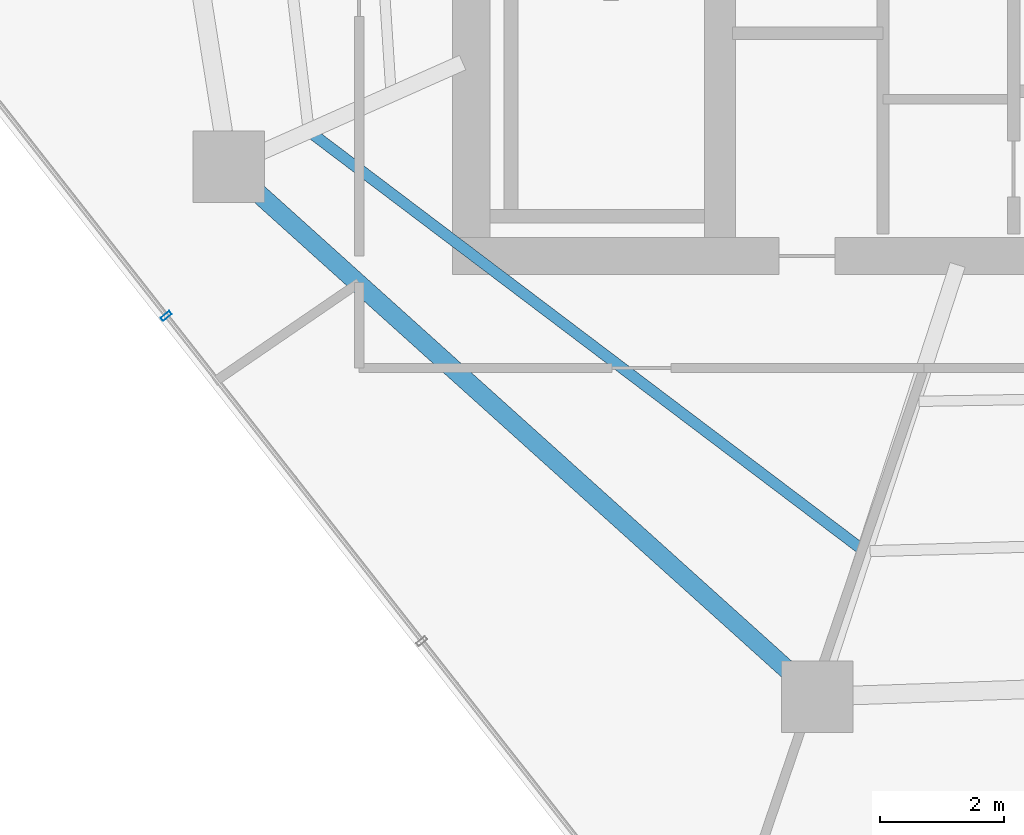
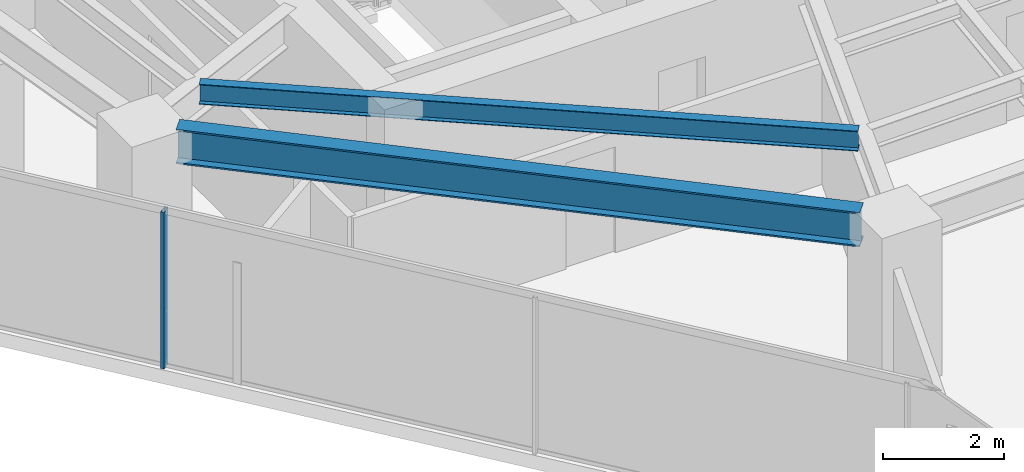
# One storey, part 4 of 29: 2 beams, 1 member, 1 element without a shape of its own.
"""IFC4 building model written with IfcOpenShell, lengths in metres."""

from ifc_helpers import new_model, si_unit, direction, frame, origin, origin_2d, place, context, subcontext, project, spatial, hollow_rectangle, i_section, extrude, material, layer, layer_set, material_profile, profile_set, type_object, element, aggregate, save


model = new_model("IFC4")

# Units and contexts
model_context = context("Model", 3, precision=1e-05, world=origin(), true_north=direction((0.0, 1.0)))
body_context = subcontext(model_context, "Body", "Model", "MODEL_VIEW")
ifc_project = project(units=[si_unit("LENGTHUNIT", "METRE"), si_unit("AREAUNIT", "SQUARE_METRE"), si_unit("VOLUMEUNIT", "CUBIC_METRE"), si_unit("PLANEANGLEUNIT", "RADIAN"), si_unit("MASSUNIT", "GRAM", prefix="KILO")], contexts=[model_context])

# Site, building, storey
site_placement = place(None, origin())
site = spatial("IfcSite", under=ifc_project, at=site_placement, CompositionType="ELEMENT")
building_placement = place(site_placement, origin())
building = spatial("IfcBuilding", under=site, at=building_placement, Name="Qarnah Convention Tower", CompositionType="ELEMENT")
storey_placement = place(building_placement, frame((0.0, 0.0, 97.050048828125)))
storey = spatial("IfcBuildingStorey", under=building, at=storey_placement, Name="L25", CompositionType="ELEMENT", Elevation=97.050048828125)

# Beams
ifc_material_1 = material(Name="Structural steel S355JR", Category="steel")
ifc_material_profile_1 = material_profile(ifc_material_1, i_section(OverallWidth=0.177978515625, OverallDepth=0.407958984375, WebThickness=0.008056640625, FlangeThickness=0.012939453125, at=origin_2d()), Name="W410X60")
ifc_profile_set_1 = profile_set([ifc_material_profile_1], Name="Structural steel S355JR")
beam_type_1 = type_object("IfcBeamType", Name="BM-JST-W410", PredefinedType="JOIST", material=ifc_profile_set_1)
beam_1_placement = place(storey_placement, frame((24.260986328125, 20.553955078125, 2.966064453125), z_axis=(0.797697280495, -0.603058080694, 0.0), x_axis=(0.603058080694, 0.797697280495, 0.0)))
element("IfcBeam", 1, at=beam_1_placement, inside=storey, type_object=beam_type_1, Name="L25 joist BM-L25-SJST-06", PredefinedType="JOIST", context=body_context, shape_type="SweptSolid", body=[
    extrude(i_section(OverallWidth=0.177978515625, OverallDepth=0.407958984375, WebThickness=0.008056640625, FlangeThickness=0.012939453125, at=origin_2d()), origin(), (0.0, 0.0, 1.0), 11.0205078125),
])
ifc_material_profile_2 = material_profile(ifc_material_1, i_section(OverallWidth=0.300048828125, OverallDepth=0.699951171875, WebThickness=0.01708984375, FlangeThickness=0.031982421875, at=origin_2d()), Name="HEB700")
ifc_profile_set_2 = profile_set([ifc_material_profile_2], Name="Structural steel S355JR")
beam_type_2 = type_object("IfcBeamType", Name="BM-RING-HEB700", PredefinedType="BEAM", material=ifc_profile_set_2)
beam_2_placement = place(storey_placement, frame((23.322998046875, 19.656982421875, 2.820068359375), z_axis=(0.743124603424, -0.669153064541, 0.0), x_axis=(0.669153064541, 0.743124603424, 0.0)))
element("IfcBeam", 2, at=beam_2_placement, inside=storey, type_object=beam_type_2, Name="L25 beam BM-L25-SPN-06", PredefinedType="BEAM", context=body_context, shape_type="SweptSolid", body=[
    extrude(i_section(OverallWidth=0.300048828125, OverallDepth=0.699951171875, WebThickness=0.01708984375, FlangeThickness=0.031982421875, at=origin_2d()), origin(), (0.0, 0.0, 1.0), 11.60107421875),
])

# Curtain wall, member
ifc_material_2 = material(Name="Tempered Low-E dark glass", Category="glass")
ifc_layer = layer(ifc_material_2, 0.169921875)
ifc_layer_set = layer_set([ifc_layer], Name="Tempered Low-E dark glass")
curtain_wall_type = type_object("IfcCurtainWallType", Name="CWS-02", PredefinedType="NOTDEFINED", material=ifc_layer_set)
curtain_wall_placement = place(storey_placement, origin())
curtain_wall = element("IfcCurtainWall", 3, at=curtain_wall_placement, inside=storey, type_object=curtain_wall_type, Name="L25 unitised curtain wall CW-L25-F3", PredefinedType="NOTDEFINED")
ifc_material_3 = material(Name="Black anodised aluminium", Category="aluminium")
ifc_material_profile_3 = material_profile(ifc_material_3, hollow_rectangle(XDim=0.06494140625, YDim=0.179931640625, WallThickness=0.00390625, at=origin_2d()), Name="MUL-65X180")
ifc_profile_set_3 = profile_set([ifc_material_profile_3], Name="Black anodised aluminium")
member_type = type_object("IfcMemberType", Name="MUL-T2", PredefinedType="MULLION", material=ifc_profile_set_3)
member_placement = place(storey_placement, frame((21.898681640625, 17.63671875, 0.0), z_axis=(0.0, 0.0, 1.0), x_axis=(-0.617870701473, 0.786279718841, 0.0)))
member = element("IfcMember", 4, at=member_placement, type_object=member_type, Name="CW-L25-F3 mullion 4", PredefinedType="MULLION", context=body_context, shape_type="SweptSolid", body=[
    extrude(hollow_rectangle(XDim=0.06494140625, YDim=0.179931640625, WallThickness=0.00390625, at=origin_2d()), origin(), (0.0, 0.0, 1.0), 3.169921875),
])
aggregate(curtain_wall, [member])

save(model, "model.ifc")
